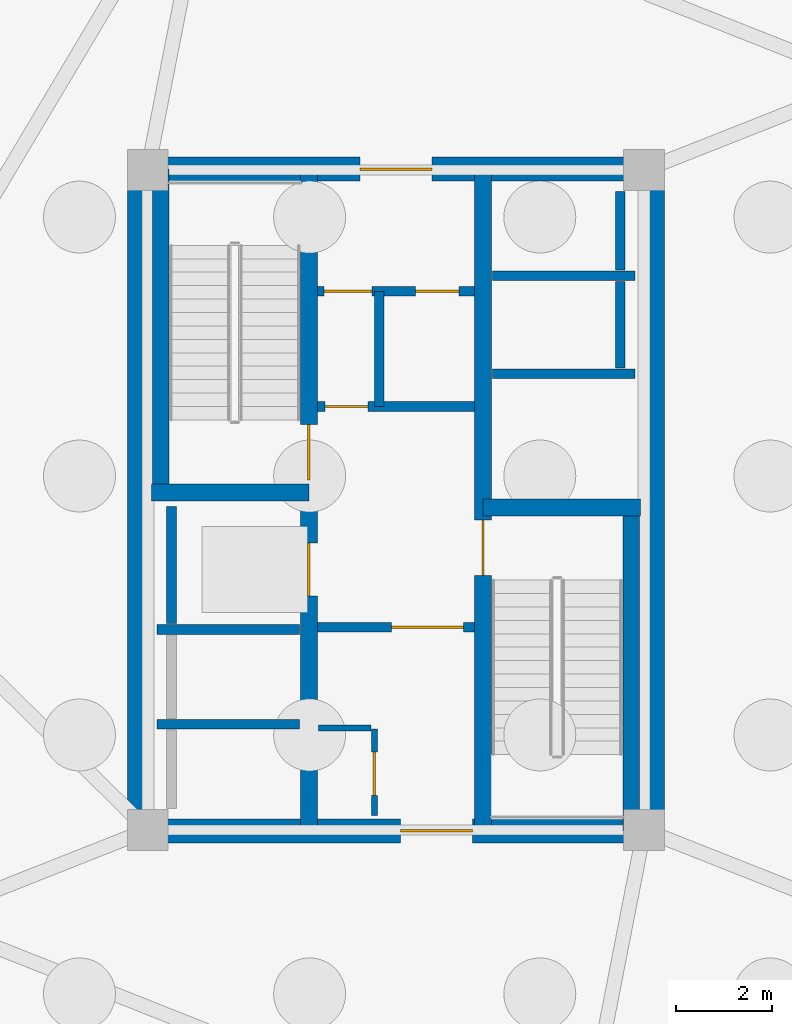
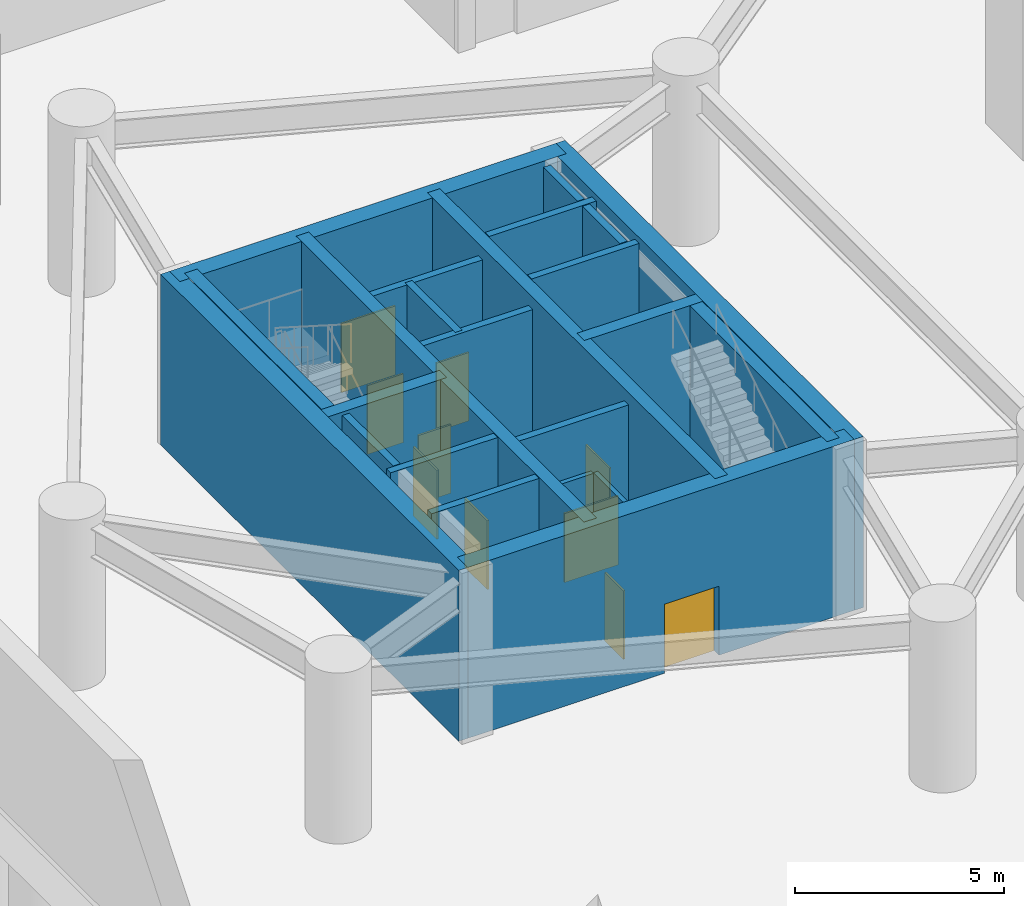
# One storey, part 6 of 15: 23 walls, 10 doors, 10 openings.
"""IFC4 building model written with IfcOpenShell, lengths in metres."""

from ifc_helpers import new_model, si_unit, direction, frame, frame_2d, origin, place, context, subcontext, project, spatial, rectangle, extrude, source, transform, mapped, material, layer, layer_set, type_object, element, fill, save


model = new_model("IFC4")

# Units and contexts
model_context = context("Model", 3, precision=1e-05, world=origin(), true_north=direction((0.0, 1.0)))
body_context = subcontext(model_context, "Body", "Model", "MODEL_VIEW")
ifc_project = project(units=[si_unit("LENGTHUNIT", "METRE"), si_unit("AREAUNIT", "SQUARE_METRE"), si_unit("VOLUMEUNIT", "CUBIC_METRE"), si_unit("PLANEANGLEUNIT", "RADIAN"), si_unit("MASSUNIT", "GRAM", prefix="KILO")], contexts=[model_context])

# Site, building, storey
site_placement = place(None, origin())
site = spatial("IfcSite", under=ifc_project, at=site_placement, CompositionType="ELEMENT")
building_placement = place(site_placement, origin())
building = spatial("IfcBuilding", under=site, at=building_placement, Name="Cununo Teusaquillo Station Towers", CompositionType="ELEMENT")
storey_placement = place(building_placement, frame((0.0, 0.0, -10.0)))
storey = spatial("IfcBuildingStorey", under=building, at=storey_placement, Name="B02", CompositionType="ELEMENT", Elevation=-10.0)

# Walls
ifc_material_1 = material(Name="Concrete C50/60", Category="concrete")
ifc_layer_1 = layer(ifc_material_1, 0.199951171875)
ifc_layer_set_1 = layer_set([ifc_layer_1], Name="Concrete C50/60")
wall_type_1 = type_object("IfcWallType", Name="WL-CORE-200", PredefinedType="SHEAR", material=ifc_layer_set_1)
wall_1_placement = place(storey_placement, frame((11.52001953125, 21.800048828125, 0.0), z_axis=(0.0, 0.0, 1.0), x_axis=(1.0, 0.0, 0.0)))
element("IfcWall", 1, at=wall_1_placement, inside=storey, type_object=wall_type_1, Name="B02 Tower A Firefighting Lift Shaft South Shear Wall", PredefinedType="SHEAR", context=body_context, shape_type="SweptSolid", body=[
    extrude(rectangle(XDim=2.969970703125, YDim=0.199951171875, at=frame_2d((1.48486328125, 0.0))), origin(), (0.0, 0.0, 1.0), 5.0),
])
wall_2_placement = place(storey_placement, frame((11.820068359375, 21.919921875, 0.0), z_axis=(0.0, 0.0, 1.0), x_axis=(0.0, 1.0, 0.0)))
element("IfcWall", 2, at=wall_2_placement, inside=storey, type_object=wall_type_1, Name="B02 Tower A Firefighting Lift Shaft Rear Shear Wall", PredefinedType="SHEAR", context=body_context, shape_type="SweptSolid", body=[
    extrude(rectangle(XDim=2.440185546875, YDim=0.199951171875, at=frame_2d((1.22021484375, 0.0))), origin(), (0.0, 0.0, 1.0), 5.0),
])
for number, where, z_axis, x_axis, name in (
    (3, (11.52001953125, 19.824951171875, 0.0), (0.0, 0.0, 1.0), (1.0, 0.0, 0.0), "B02 Tower A High-Rise Lift Hoistway Divider Shear Wall"),
    (4, (18.510009765625, 27.1298828125, 0.0), (0.0, 0.0, 1.0), (1.0, 0.0, 0.0), "B02 Tower A Low-Rise Lift Hoistway South Shear Wall"),
    (5, (18.510009765625, 29.175048828125, 0.0), (0.0, 0.0, 1.0), (1.0, 0.0, 0.0), "B02 Tower A Low-Rise Lift Hoistway Divider Shear Wall"),
):
    element("IfcWall", number, at=place(storey_placement, frame(where, z_axis=z_axis, x_axis=x_axis)), inside=storey, type_object=wall_type_1, Name=name, PredefinedType="SHEAR", context=body_context, shape_type="SweptSolid", body=[
        extrude(rectangle(XDim=2.969970703125, YDim=0.199951171875, at=frame_2d((1.48486328125, 0.0))), origin(), (0.0, 0.0, 1.0), 5.0),
    ])
wall_3_placement = place(storey_placement, frame((21.179931640625, 27.25, 0.0), z_axis=(0.0, 0.0, 1.0), x_axis=(0.0, 1.0, 0.0)))
element("IfcWall", 6, at=wall_3_placement, inside=storey, type_object=wall_type_1, Name="B02 Tower A Low-Rise Lift 1 Shaft Rear Shear Wall", PredefinedType="SHEAR", context=body_context, shape_type="SweptSolid", body=[
    extrude(rectangle(XDim=1.804931640625, YDim=0.199951171875, at=frame_2d((0.90234375, 0.0))), origin(), (0.0, 0.0, 1.0), 5.0),
])
wall_4_placement = place(storey_placement, frame((21.179931640625, 29.294921875, 0.0), z_axis=(0.0, 0.0, 1.0), x_axis=(0.0, 1.0, 0.0)))
element("IfcWall", 7, at=wall_4_placement, inside=storey, type_object=wall_type_1, Name="B02 Tower A Low-Rise Lift 2 Shaft Rear Shear Wall", PredefinedType="SHEAR", context=body_context, shape_type="SweptSolid", body=[
    extrude(rectangle(XDim=1.635009765625, YDim=0.199951171875, at=frame_2d((0.8173828125, 0.0))), origin(), (0.0, 0.0, 1.0), 5.0),
])

# Wall, openings, doors
ifc_material_2 = material(Name="Concrete C50/60", Category="concrete")
ifc_layer_2 = layer(ifc_material_2, 0.35009765625)
ifc_layer_set_2 = layer_set([ifc_layer_2], Name="Concrete C50/60")
wall_type_2 = type_object("IfcWallType", Name="WL-CORE-350", PredefinedType="SHEAR", material=ifc_layer_set_2)
wall_5_placement = place(storey_placement, frame((14.68505859375, 17.60009765625, 0.0), z_axis=(0.0, 0.0, 1.0), x_axis=(0.0, 1.0, 0.0)))
wall_5 = element("IfcWall", 8, at=wall_5_placement, inside=storey, type_object=wall_type_2, Name="B02 Tower A Core Shear Wall IW", PredefinedType="SHEAR", context=body_context, shape_type="SweptSolid", body=[
    extrude(rectangle(XDim=13.7998046875, YDim=0.35009765625, at=frame_2d((6.89990234375, 0.0))), origin(), (0.0, 0.0, 1.0), 5.0),
])
shared_shape_1 = source(origin(), body_context, "Body", "SweptSolid", [
    extrude(rectangle(XDim=1.10009765625, YDim=2.014892578125, at=frame_2d((0.550048828125, 1.00732421875))), frame((0.0, 0.18505859375, 0.0), z_axis=(0.0, -1.0, 0.0), x_axis=(1.0, 0.0, 0.0)), (0.0, 0.0, 1.0), 0.3701171875),
])
opening_1_placement = place(wall_5_placement, frame((4.89990234375, 0.0, 0.0)))
opening_1 = element("IfcOpeningElement", 9, at=opening_1_placement, cuts=wall_5, Name="Opening LD-01", PredefinedType="OPENING", context=body_context, shape_type="MappedRepresentation", body=[
    mapped(shared_shape_1, transform((0.0, 0.0, 0.0), x_axis=(1.0, 0.0, 0.0), y_axis=(0.0, 1.0, 0.0), z_axis=(0.0, 0.0, 1.0), scale=1.0)),
])
shared_shape_2 = source(origin(), body_context, "Body", "SweptSolid", [
    extrude(rectangle(XDim=1.14990234375, YDim=2.02001953125, at=frame_2d((0.574951171875, 1.010009765625))), frame((0.0, 0.18505859375, 0.0), z_axis=(0.0, -1.0, 0.0), x_axis=(1.0, 0.0, 0.0)), (0.0, 0.0, 1.0), 0.3701171875),
])
opening_2_placement = place(wall_5_placement, frame((7.320068359375, 0.0, 0.0)))
opening_2 = element("IfcOpeningElement", 10, at=opening_2_placement, cuts=wall_5, Name="Opening D-ST1", PredefinedType="OPENING", context=body_context, shape_type="MappedRepresentation", body=[
    mapped(shared_shape_2, transform((0.0, 0.0, 0.0), x_axis=(1.0, 0.0, 0.0), y_axis=(0.0, 1.0, 0.0), z_axis=(0.0, 0.0, 1.0), scale=1.0)),
])
ifc_material_3 = material(Name="Galvanised fire-rated hollow steel door assembly", Category="steel")
door_type_1 = type_object("IfcDoorType", Name="DR-LIFT-1100", OperationType="SLIDING_TO_LEFT", PredefinedType="DOOR", material=ifc_material_3)
shared_shape_3 = source(origin(), body_context, "Body", "SweptSolid", [
    extrude(rectangle(XDim=1.10009765625, YDim=2.014892578125, at=frame_2d((0.550048828125, 1.00732421875))), frame((0.0, 0.02490234375, 0.0), z_axis=(0.0, -1.0, 0.0), x_axis=(1.0, 0.0, 0.0)), (0.0, 0.0, 1.0), 0.050048828125),
])
door_1_placement = place(opening_1_placement, origin())
door_1 = element("IfcDoor", 11, at=door_1_placement, inside=storey, type_object=door_type_1, Name="B02 Lift FL-T1 Sliding Landing Door", OperationType="SLIDING_TO_LEFT", OverallHeight=2.014892578125, OverallWidth=1.10009765625, PredefinedType="DOOR", context=body_context, shape_type="MappedRepresentation", body=[
    mapped(shared_shape_3, transform((0.0, 0.0, 0.0), x_axis=(1.0, 0.0, 0.0), y_axis=(0.0, 1.0, 0.0), z_axis=(0.0, 0.0, 1.0), scale=1.0)),
])
fill(opening_1, door_1)
ifc_material_4 = material(Name="Galvanised fire-rated hollow steel door assembly", Category="steel")
door_type_2 = type_object("IfcDoorType", Name="DR-STAIR-1150", OperationType="NOTDEFINED", PredefinedType="DOOR", material=ifc_material_4)
shared_shape_4 = source(origin(), body_context, "Body", "SweptSolid", [
    extrude(rectangle(XDim=1.14990234375, YDim=2.02001953125, at=frame_2d((0.574951171875, 1.010009765625))), frame((0.0, 0.02490234375, 0.0), z_axis=(0.0, -1.0, 0.0), x_axis=(1.0, 0.0, 0.0)), (0.0, 0.0, 1.0), 0.050048828125),
])
door_2_placement = place(opening_2_placement, origin())
door_2 = element("IfcDoor", 12, at=door_2_placement, inside=storey, type_object=door_type_2, Name="B02 Tower A Exit Stair 1 Fire Door", OperationType="SINGLE_SWING_RIGHT", OverallHeight=2.02001953125, OverallWidth=1.14990234375, PredefinedType="DOOR", context=body_context, shape_type="MappedRepresentation", body=[
    mapped(shared_shape_4, transform((0.0, 0.0, 0.0), x_axis=(1.0, 0.0, 0.0), y_axis=(0.0, 1.0, 0.0), z_axis=(0.0, 0.0, 1.0), scale=1.0)),
])
fill(opening_2, door_2)

# Wall, opening, door
wall_6_placement = place(storey_placement, frame((18.31494140625, 17.60009765625, 0.0), z_axis=(0.0, 0.0, 1.0), x_axis=(0.0, 1.0, 0.0)))
wall_6 = element("IfcWall", 13, at=wall_6_placement, inside=storey, type_object=wall_type_2, Name="B02 Tower A Core Shear Wall IE", PredefinedType="SHEAR", context=body_context, shape_type="SweptSolid", body=[
    extrude(rectangle(XDim=13.7998046875, YDim=0.35009765625, at=frame_2d((6.89990234375, 0.0))), origin(), (0.0, 0.0, 1.0), 5.0),
])
opening_3_placement = place(wall_6_placement, frame((5.330078125, 0.0, 0.0)))
opening_3 = element("IfcOpeningElement", 14, at=opening_3_placement, cuts=wall_6, Name="Opening D-ST1", PredefinedType="OPENING", context=body_context, shape_type="MappedRepresentation", body=[
    mapped(shared_shape_2, transform((0.0, 0.0, 0.0), x_axis=(1.0, 0.0, 0.0), y_axis=(0.0, 1.0, 0.0), z_axis=(0.0, 0.0, 1.0), scale=1.0)),
])
door_3_placement = place(opening_3_placement, origin())
door_3 = element("IfcDoor", 15, at=door_3_placement, inside=storey, type_object=door_type_2, Name="B02 Tower A Exit Stair 2 Fire Door", OperationType="SINGLE_SWING_LEFT", OverallHeight=2.02001953125, OverallWidth=1.14990234375, PredefinedType="DOOR", context=body_context, shape_type="MappedRepresentation", body=[
    mapped(shared_shape_4, transform((0.0, 0.0, 0.0), x_axis=(1.0, 0.0, 0.0), y_axis=(0.0, 1.0, 0.0), z_axis=(0.0, 0.0, 1.0), scale=1.0)),
])
fill(opening_3, door_3)

# Walls
wall_7_placement = place(storey_placement, frame((11.594970703125, 24.655029296875, 0.0), z_axis=(0.0, 0.0, 1.0), x_axis=(0.0, 1.0, 0.0)))
element("IfcWall", 16, at=wall_7_placement, inside=storey, type_object=wall_type_2, Name="B02 Tower A Core Shear Wall ST1W", PredefinedType="SHEAR", context=body_context, shape_type="SweptSolid", body=[
    extrude(rectangle(XDim=6.744873046875, YDim=0.35009765625, at=frame_2d((3.37255859375, 0.0))), origin(), (0.0, 0.0, 1.0), 5.0),
])
wall_8_placement = place(storey_placement, frame((11.39990234375, 24.655029296875, 0.0), z_axis=(0.0, 0.0, 1.0), x_axis=(1.0, 0.0, 0.0)))
element("IfcWall", 17, at=wall_8_placement, inside=storey, type_object=wall_type_2, Name="B02 Tower A Core Shear Wall ST1S", PredefinedType="SHEAR", context=body_context, shape_type="SweptSolid", body=[
    extrude(rectangle(XDim=3.28515625, YDim=0.35009765625, at=frame_2d((1.642578125, 0.0))), origin(), (0.0, 0.0, 1.0), 5.0),
])
wall_9_placement = place(storey_placement, frame((21.405029296875, 17.60009765625, 0.0), z_axis=(0.0, 0.0, 1.0), x_axis=(0.0, 1.0, 0.0)))
element("IfcWall", 18, at=wall_9_placement, inside=storey, type_object=wall_type_2, Name="B02 Tower A Core Shear Wall ST2E", PredefinedType="SHEAR", context=body_context, shape_type="SweptSolid", body=[
    extrude(rectangle(XDim=6.744873046875, YDim=0.35009765625, at=frame_2d((3.37255859375, 0.0))), origin(), (0.0, 0.0, 1.0), 5.0),
])
wall_10_placement = place(storey_placement, frame((18.31494140625, 24.344970703125, 0.0), z_axis=(0.0, 0.0, 1.0), x_axis=(1.0, 0.0, 0.0)))
element("IfcWall", 19, at=wall_10_placement, inside=storey, type_object=wall_type_2, Name="B02 Tower A Core Shear Wall ST2N", PredefinedType="SHEAR", context=body_context, shape_type="SweptSolid", body=[
    extrude(rectangle(XDim=3.28515625, YDim=0.35009765625, at=frame_2d((1.642578125, 0.0))), origin(), (0.0, 0.0, 1.0), 5.0),
])
ifc_material_5 = material(Name="Concrete C60/75", Category="concrete")
ifc_layer_3 = layer(ifc_material_5, 0.5)
ifc_layer_set_3 = layer_set([ifc_layer_3], Name="Concrete C60/75")
wall_type_3 = type_object("IfcWallType", Name="WL-CORE-500", PredefinedType="SHEAR", material=ifc_layer_set_3)
for number, where, z_axis, x_axis, name in (
    (20, (11.14990234375, 17.35009765625, 0.0), (0.0, 0.0, 1.0), (0.0, 1.0, 0.0), "B02 Tower A Core Shear Wall W"),
    (21, (21.85009765625, 17.35009765625, 0.0), (0.0, 0.0, 1.0), (0.0, 1.0, 0.0), "B02 Tower A Core Shear Wall E"),
):
    element("IfcWall", number, at=place(storey_placement, frame(where, z_axis=z_axis, x_axis=x_axis)), inside=storey, type_object=wall_type_3, Name=name, PredefinedType="SHEAR", context=body_context, shape_type="SweptSolid", body=[
        extrude(rectangle(XDim=14.2998046875, YDim=0.5, at=frame_2d((7.14990234375, 0.0))), origin(), (0.0, 0.0, 1.0), 5.0),
    ])

# Wall, opening, door
wall_11_placement = place(storey_placement, frame((11.14990234375, 17.60009765625, 0.0), z_axis=(0.0, 0.0, 1.0), x_axis=(1.0, 0.0, 0.0)))
wall_11 = element("IfcWall", 22, at=wall_11_placement, inside=storey, type_object=wall_type_3, Name="B02 Tower A Core Shear Wall S", PredefinedType="SHEAR", context=body_context, shape_type="SweptSolid", body=[
    extrude(rectangle(XDim=10.7001953125, YDim=0.5, at=frame_2d((5.35009765625, 0.0))), origin(), (0.0, 0.0, 1.0), 5.0),
])
shared_shape_5 = source(origin(), body_context, "Body", "SweptSolid", [
    extrude(rectangle(XDim=1.5, YDim=2.02001953125, at=frame_2d((0.75, 1.010009765625))), frame((0.0, 0.260009765625, 0.0), z_axis=(0.0, -1.0, 0.0), x_axis=(1.0, 0.0, 0.0)), (0.0, 0.0, 1.0), 0.52001953125),
])
opening_4_placement = place(wall_11_placement, frame((5.449951171875, 0.0, 0.0)))
opening_4 = element("IfcOpeningElement", 23, at=opening_4_placement, cuts=wall_11, Name="Opening D-LB1", PredefinedType="OPENING", context=body_context, shape_type="MappedRepresentation", body=[
    mapped(shared_shape_5, transform((0.0, 0.0, 0.0), x_axis=(1.0, 0.0, 0.0), y_axis=(0.0, 1.0, 0.0), z_axis=(0.0, 0.0, 1.0), scale=1.0)),
])
ifc_material_6 = material(Name="Galvanised fire-rated hollow steel door assembly", Category="steel")
door_type_3 = type_object("IfcDoorType", Name="DR-LOBBY-1500", OperationType="DOUBLE_DOOR_SINGLE_SWING", PredefinedType="DOOR", material=ifc_material_6)
shared_shape_6 = source(origin(), body_context, "Body", "SweptSolid", [
    extrude(rectangle(XDim=1.5, YDim=2.02001953125, at=frame_2d((0.75, 1.010009765625))), frame((0.0, 0.02490234375, 0.0), z_axis=(0.0, -1.0, 0.0), x_axis=(1.0, 0.0, 0.0)), (0.0, 0.0, 1.0), 0.050048828125),
])
door_4_placement = place(opening_4_placement, origin())
door_4 = element("IfcDoor", 24, at=door_4_placement, inside=storey, type_object=door_type_3, Name="B02 Tower A South Core Lift Lobby Door", OperationType="DOUBLE_DOOR_SINGLE_SWING", OverallHeight=2.02001953125, OverallWidth=1.5, PredefinedType="DOOR", context=body_context, shape_type="MappedRepresentation", body=[
    mapped(shared_shape_6, transform((0.0, 0.0, 0.0), x_axis=(1.0, 0.0, 0.0), y_axis=(0.0, 1.0, 0.0), z_axis=(0.0, 0.0, 1.0), scale=1.0)),
])
fill(opening_4, door_4)

wall_12_placement = place(storey_placement, frame((11.14990234375, 31.39990234375, 0.0), z_axis=(0.0, 0.0, 1.0), x_axis=(1.0, 0.0, 0.0)))
wall_12 = element("IfcWall", 25, at=wall_12_placement, inside=storey, type_object=wall_type_3, Name="B02 Tower A Core Shear Wall N", PredefinedType="SHEAR", context=body_context, shape_type="SweptSolid", body=[
    extrude(rectangle(XDim=10.7001953125, YDim=0.5, at=frame_2d((5.35009765625, 0.0))), origin(), (0.0, 0.0, 1.0), 5.0),
])
opening_5_placement = place(wall_12_placement, frame((4.60009765625, 0.0, 0.0)))
opening_5 = element("IfcOpeningElement", 26, at=opening_5_placement, cuts=wall_12, Name="Opening D-LB1", PredefinedType="OPENING", context=body_context, shape_type="MappedRepresentation", body=[
    mapped(shared_shape_5, transform((0.0, 0.0, 0.0), x_axis=(1.0, 0.0, 0.0), y_axis=(0.0, 1.0, 0.0), z_axis=(0.0, 0.0, 1.0), scale=1.0)),
])
door_5_placement = place(opening_5_placement, origin())
door_5 = element("IfcDoor", 27, at=door_5_placement, inside=storey, type_object=door_type_3, Name="B02 Tower A North Core Lift Lobby Door", OperationType="DOUBLE_DOOR_SINGLE_SWING", OverallHeight=2.02001953125, OverallWidth=1.5, PredefinedType="DOOR", context=body_context, shape_type="MappedRepresentation", body=[
    mapped(shared_shape_6, transform((0.0, 0.0, 0.0), x_axis=(1.0, 0.0, 0.0), y_axis=(0.0, 1.0, 0.0), z_axis=(0.0, 0.0, 1.0), scale=1.0)),
])
fill(opening_5, door_5)

ifc_material_7 = material(Name="Fire-rated gypsum plasterboard partition assembly", Category="gypsum")
ifc_layer_4 = layer(ifc_material_7, 0.125)
ifc_layer_set_4 = layer_set([ifc_layer_4], Name="Fire-rated gypsum plasterboard partition assembly")
wall_type_4 = type_object("IfcWallType", Name="WL-PART-125", PredefinedType="PARTITIONING", material=ifc_layer_set_4)
wall_13_placement = place(storey_placement, frame((16.050048828125, 17.919921875, 0.0), z_axis=(0.0, 0.0, 1.0), x_axis=(0.0, 1.0, 0.0)))
wall_13 = element("IfcWall", 28, at=wall_13_placement, inside=storey, type_object=wall_type_4, Name="B02 Tower A South-West Compact Store East Wall", PredefinedType="PARTITIONING", context=body_context, shape_type="SweptSolid", body=[
    extrude(rectangle(XDim=1.800048828125, YDim=0.125, at=frame_2d((0.89990234375, 0.0))), origin(), (0.0, 0.0, 1.0), 4.64501953125),
])
shared_shape_7 = source(origin(), body_context, "Body", "SweptSolid", [
    extrude(rectangle(XDim=0.89990234375, YDim=2.0048828125, at=frame_2d((0.449951171875, 1.00244140625))), frame((0.0, 0.072509765625, 0.0), z_axis=(0.0, -1.0, 0.0), x_axis=(1.0, 0.0, 0.0)), (0.0, 0.0, 1.0), 0.14501953125),
])
opening_6_placement = place(wall_13_placement, frame((0.419921875, 0.0, 0.0)))
opening_6 = element("IfcOpeningElement", 29, at=opening_6_placement, cuts=wall_13, Name="Opening D-SR1", PredefinedType="OPENING", context=body_context, shape_type="MappedRepresentation", body=[
    mapped(shared_shape_7, transform((0.0, 0.0, 0.0), x_axis=(1.0, 0.0, 0.0), y_axis=(0.0, 1.0, 0.0), z_axis=(0.0, 0.0, 1.0), scale=1.0)),
])
ifc_material_8 = material(Name="Galvanised fire-rated hollow steel door assembly", Category="steel")
door_type_4 = type_object("IfcDoorType", Name="DR-STORE-900", OperationType="NOTDEFINED", PredefinedType="DOOR", material=ifc_material_8)
shared_shape_8 = source(origin(), body_context, "Body", "SweptSolid", [
    extrude(rectangle(XDim=0.89990234375, YDim=2.0048828125, at=frame_2d((0.449951171875, 1.00244140625))), frame((0.0, 0.02490234375, 0.0), z_axis=(0.0, -1.0, 0.0), x_axis=(1.0, 0.0, 0.0)), (0.0, 0.0, 1.0), 0.050048828125),
])
door_6_placement = place(opening_6_placement, origin())
door_6 = element("IfcDoor", 30, at=door_6_placement, inside=storey, type_object=door_type_4, Name="B02 Tower A Core Electrical & Comms Store Door", OperationType="SINGLE_SWING_RIGHT", OverallHeight=2.0048828125, OverallWidth=0.89990234375, PredefinedType="DOOR", context=body_context, shape_type="MappedRepresentation", body=[
    mapped(shared_shape_8, transform((0.0, 0.0, 0.0), x_axis=(1.0, 0.0, 0.0), y_axis=(0.0, 1.0, 0.0), z_axis=(0.0, 0.0, 1.0), scale=1.0)),
])
fill(opening_6, door_6)

# Wall
wall_14_placement = place(storey_placement, frame((14.8798828125, 19.75, 0.0), z_axis=(0.0, 0.0, 1.0), x_axis=(1.0, 0.0, 0.0)))
element("IfcWall", 31, at=wall_14_placement, inside=storey, type_object=wall_type_4, Name="B02 Tower A South-West Compact Store North Wall", PredefinedType="PARTITIONING", context=body_context, shape_type="SweptSolid", body=[
    extrude(rectangle(XDim=1.10009765625, YDim=0.125, at=frame_2d((0.550048828125, 0.0))), origin(), (0.0, 0.0, 1.0), 4.64501953125),
])

# Wall, opening, door
ifc_material_9 = material(Name="Fire-rated gypsum plasterboard partition assembly", Category="gypsum")
ifc_layer_5 = layer(ifc_material_9, 0.199951171875)
ifc_layer_set_5 = layer_set([ifc_layer_5], Name="Fire-rated gypsum plasterboard partition assembly")
wall_type_5 = type_object("IfcWallType", Name="WL-PART-200", PredefinedType="PARTITIONING", material=ifc_layer_set_5)
wall_15_placement = place(storey_placement, frame((14.860107421875, 21.85009765625, 0.0), z_axis=(0.0, 0.0, 1.0), x_axis=(1.0, 0.0, 0.0)))
wall_15 = element("IfcWall", 32, at=wall_15_placement, inside=storey, type_object=wall_type_5, Name="B02 Tower A Firefighting Lift Lobby South Fire Wall", PredefinedType="PARTITIONING", context=body_context, shape_type="SweptSolid", body=[
    extrude(rectangle(XDim=3.27978515625, YDim=0.199951171875, at=frame_2d((1.639892578125, 0.0))), origin(), (0.0, 0.0, 1.0), 4.64501953125),
])
shared_shape_9 = source(origin(), body_context, "Body", "SweptSolid", [
    extrude(rectangle(XDim=1.5, YDim=2.02001953125, at=frame_2d((0.75, 1.010009765625))), frame((0.0, 0.10986328125, 0.0), z_axis=(0.0, -1.0, 0.0), x_axis=(1.0, 0.0, 0.0)), (0.0, 0.0, 1.0), 0.219970703125),
])
opening_7_placement = place(wall_15_placement, frame((1.550048828125, 0.0, 0.0)))
opening_7 = element("IfcOpeningElement", 33, at=opening_7_placement, cuts=wall_15, Name="Opening D-LB1", PredefinedType="OPENING", context=body_context, shape_type="MappedRepresentation", body=[
    mapped(shared_shape_9, transform((0.0, 0.0, 0.0), x_axis=(1.0, 0.0, 0.0), y_axis=(0.0, 1.0, 0.0), z_axis=(0.0, 0.0, 1.0), scale=1.0)),
])
door_7_placement = place(opening_7_placement, origin())
door_7 = element("IfcDoor", 34, at=door_7_placement, inside=storey, type_object=door_type_3, Name="B02 Tower A Firefighting Lift Lobby South Fire Door", OperationType="DOUBLE_DOOR_SINGLE_SWING", OverallHeight=2.02001953125, OverallWidth=1.5, PredefinedType="DOOR", context=body_context, shape_type="MappedRepresentation", body=[
    mapped(shared_shape_6, transform((0.0, 0.0, 0.0), x_axis=(1.0, 0.0, 0.0), y_axis=(0.0, 1.0, 0.0), z_axis=(0.0, 0.0, 1.0), scale=1.0)),
])
fill(opening_7, door_7)

wall_16_placement = place(storey_placement, frame((14.860107421875, 26.449951171875, 0.0), z_axis=(0.0, 0.0, 1.0), x_axis=(1.0, 0.0, 0.0)))
wall_16 = element("IfcWall", 35, at=wall_16_placement, inside=storey, type_object=wall_type_5, Name="B02 Tower A Firefighting Lift Lobby North Fire Wall", PredefinedType="PARTITIONING", context=body_context, shape_type="SweptSolid", body=[
    extrude(rectangle(XDim=3.27978515625, YDim=0.199951171875, at=frame_2d((1.639892578125, 0.0))), origin(), (0.0, 0.0, 1.0), 4.64501953125),
])
shared_shape_10 = source(origin(), body_context, "Body", "SweptSolid", [
    extrude(rectangle(XDim=0.89990234375, YDim=2.0048828125, at=frame_2d((0.449951171875, 1.00244140625))), frame((0.0, 0.10986328125, 0.0), z_axis=(0.0, -1.0, 0.0), x_axis=(1.0, 0.0, 0.0)), (0.0, 0.0, 1.0), 0.219970703125),
])
opening_8_placement = place(wall_16_placement, frame((0.159912109375, 0.0, 0.0)))
opening_8 = element("IfcOpeningElement", 36, at=opening_8_placement, cuts=wall_16, Name="Opening D-SR1", PredefinedType="OPENING", context=body_context, shape_type="MappedRepresentation", body=[
    mapped(shared_shape_10, transform((0.0, 0.0, 0.0), x_axis=(1.0, 0.0, 0.0), y_axis=(0.0, 1.0, 0.0), z_axis=(0.0, 0.0, 1.0), scale=1.0)),
])
door_8_placement = place(opening_8_placement, origin())
door_8 = element("IfcDoor", 37, at=door_8_placement, inside=storey, type_object=door_type_4, Name="B02 Tower A Stair 1 Protected Vestibule South Door", OperationType="SINGLE_SWING_RIGHT", OverallHeight=2.0048828125, OverallWidth=0.89990234375, PredefinedType="DOOR", context=body_context, shape_type="MappedRepresentation", body=[
    mapped(shared_shape_8, transform((0.0, 0.0, 0.0), x_axis=(1.0, 0.0, 0.0), y_axis=(0.0, 1.0, 0.0), z_axis=(0.0, 0.0, 1.0), scale=1.0)),
])
fill(opening_8, door_8)

# Wall
wall_17_placement = place(storey_placement, frame((16.14990234375, 26.449951171875, 0.0), z_axis=(0.0, 0.0, 1.0), x_axis=(0.0, 1.0, 0.0)))
element("IfcWall", 38, at=wall_17_placement, inside=storey, type_object=wall_type_5, Name="B02 Tower A Stair 1 Vestibule Partition Wall", PredefinedType="PARTITIONING", context=body_context, shape_type="SweptSolid", body=[
    extrude(rectangle(XDim=2.400146484375, YDim=0.199951171875, at=frame_2d((1.2001953125, 0.0))), origin(), (0.0, 0.0, 1.0), 4.64501953125),
])

# Wall, openings, doors
wall_18_placement = place(storey_placement, frame((14.860107421875, 28.85009765625, 0.0), z_axis=(0.0, 0.0, 1.0), x_axis=(1.0, 0.0, 0.0)))
wall_18 = element("IfcWall", 39, at=wall_18_placement, inside=storey, type_object=wall_type_5, Name="B02 Tower A North Lift Lobby South Fire Wall", PredefinedType="PARTITIONING", context=body_context, shape_type="SweptSolid", body=[
    extrude(rectangle(XDim=3.27978515625, YDim=0.199951171875, at=frame_2d((1.639892578125, 0.0))), origin(), (0.0, 0.0, 1.0), 4.64501953125),
])
shared_shape_11 = source(origin(), body_context, "Body", "SweptSolid", [
    extrude(rectangle(XDim=1.0, YDim=2.014892578125, at=frame_2d((0.5, 1.00732421875))), frame((0.0, 0.10986328125, 0.0), z_axis=(0.0, -1.0, 0.0), x_axis=(1.0, 0.0, 0.0)), (0.0, 0.0, 1.0), 0.219970703125),
])
opening_9_placement = place(wall_18_placement, frame((0.139892578125, 0.0, 0.0)))
opening_9 = element("IfcOpeningElement", 40, at=opening_9_placement, cuts=wall_18, Name="Opening D-AC1", PredefinedType="OPENING", context=body_context, shape_type="MappedRepresentation", body=[
    mapped(shared_shape_11, transform((0.0, 0.0, 0.0), x_axis=(1.0, 0.0, 0.0), y_axis=(0.0, 1.0, 0.0), z_axis=(0.0, 0.0, 1.0), scale=1.0)),
])
opening_10_placement = place(wall_18_placement, frame((2.050048828125, 0.0, 0.0)))
opening_10 = element("IfcOpeningElement", 41, at=opening_10_placement, cuts=wall_18, Name="Opening D-SR1", PredefinedType="OPENING", context=body_context, shape_type="MappedRepresentation", body=[
    mapped(shared_shape_10, transform((0.0, 0.0, 0.0), x_axis=(1.0, 0.0, 0.0), y_axis=(0.0, 1.0, 0.0), z_axis=(0.0, 0.0, 1.0), scale=1.0)),
])
door_9_placement = place(opening_10_placement, origin())
door_9 = element("IfcDoor", 42, at=door_9_placement, inside=storey, type_object=door_type_4, Name="B02 Tower A Core Housekeeping & Linen Store Door", OperationType="SINGLE_SWING_LEFT", OverallHeight=2.0048828125, OverallWidth=0.89990234375, PredefinedType="DOOR", context=body_context, shape_type="MappedRepresentation", body=[
    mapped(shared_shape_8, transform((0.0, 0.0, 0.0), x_axis=(1.0, 0.0, 0.0), y_axis=(0.0, 1.0, 0.0), z_axis=(0.0, 0.0, 1.0), scale=1.0)),
])
fill(opening_10, door_9)
ifc_material_10 = material(Name="Acoustic solid-core hardwood leaf assembly", Category="wood")
door_type_5 = type_object("IfcDoorType", Name="DR-ACC-1000", OperationType="NOTDEFINED", PredefinedType="DOOR", material=ifc_material_10)
shared_shape_12 = source(origin(), body_context, "Body", "SweptSolid", [
    extrude(rectangle(XDim=1.0, YDim=2.014892578125, at=frame_2d((0.5, 1.00732421875))), frame((0.0, 0.02490234375, 0.0), z_axis=(0.0, -1.0, 0.0), x_axis=(1.0, 0.0, 0.0)), (0.0, 0.0, 1.0), 0.050048828125),
])
door_10_placement = place(opening_9_placement, origin())
door_10 = element("IfcDoor", 43, at=door_10_placement, inside=storey, type_object=door_type_5, Name="B02 Tower A North Lift Lobby to Stair 1 Vestibule Door", OperationType="SINGLE_SWING_LEFT", OverallHeight=2.014892578125, OverallWidth=1.0, PredefinedType="DOOR", context=body_context, shape_type="MappedRepresentation", body=[
    mapped(shared_shape_12, transform((0.0, 0.0, 0.0), x_axis=(1.0, 0.0, 0.0), y_axis=(0.0, 1.0, 0.0), z_axis=(0.0, 0.0, 1.0), scale=1.0)),
])
fill(opening_9, door_10)

save(model, "model.ifc")
